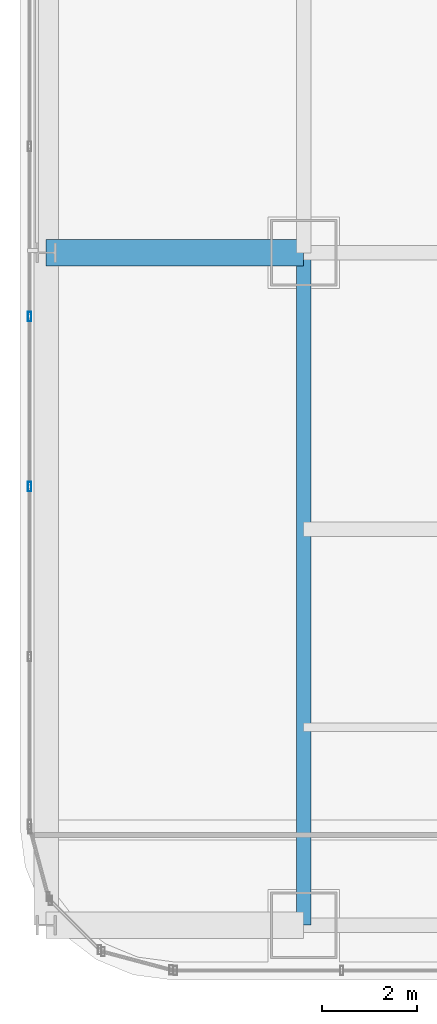
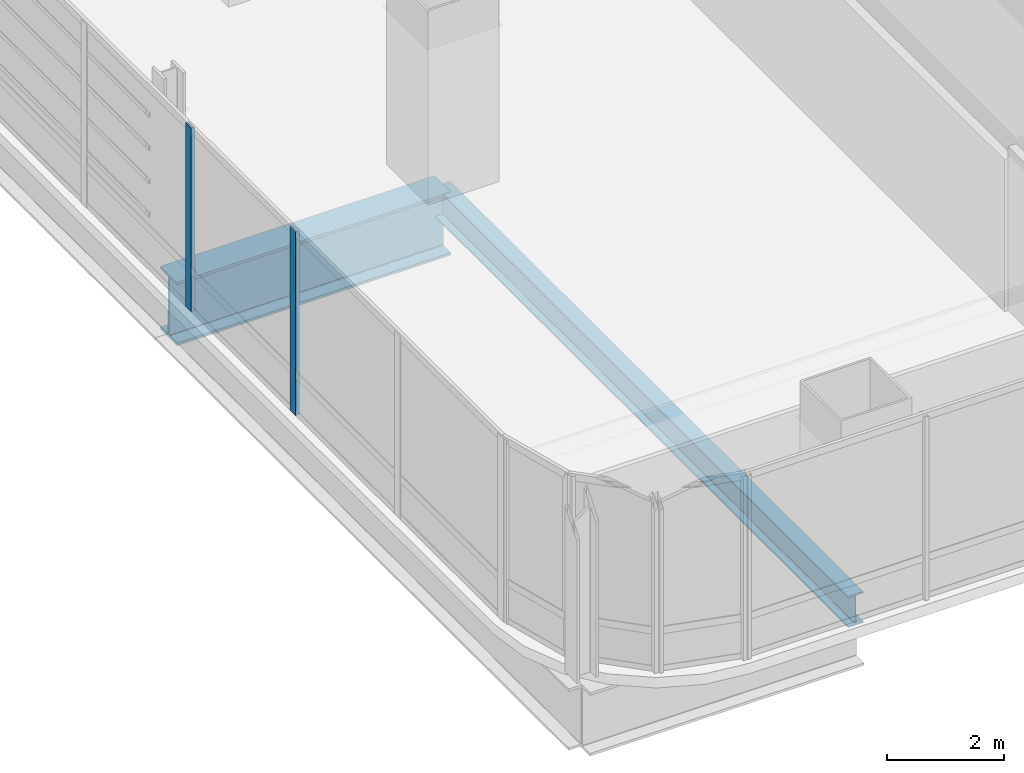
# One storey, part 5 of 38: 2 beams, 2 members, 1 element without a shape of its own.
"""IFC4 building model written with IfcOpenShell, lengths in metres."""

from ifc_helpers import new_model, si_unit, direction, frame, origin, origin_2d, place, context, subcontext, project, spatial, hollow_rectangle, i_section, extrude, material, material_profile, profile_set, type_object, element, aggregate, save


model = new_model("IFC4")

# Units and contexts
model_context = context("Model", 3, precision=1e-05, world=origin(), true_north=direction((0.0, 1.0)))
body_context = subcontext(model_context, "Body", "Model", "MODEL_VIEW")
ifc_project = project(units=[si_unit("LENGTHUNIT", "METRE"), si_unit("AREAUNIT", "SQUARE_METRE"), si_unit("VOLUMEUNIT", "CUBIC_METRE"), si_unit("PLANEANGLEUNIT", "RADIAN"), si_unit("MASSUNIT", "GRAM", prefix="KILO")], contexts=[model_context])

# Site, building, storey
site_placement = place(None, origin())
site = spatial("IfcSite", under=ifc_project, at=site_placement, CompositionType="ELEMENT")
building_placement = place(site_placement, origin())
building = spatial("IfcBuilding", under=site, at=building_placement, Name="Punatoya Terracotta Tower", CompositionType="ELEMENT")
storey_placement = place(building_placement, frame((0.0, 0.0, 160.050048828125)))
storey = spatial("IfcBuildingStorey", under=building, at=storey_placement, Name="L37", CompositionType="ELEMENT", Elevation=160.050048828125)

# Beams
ifc_material_1 = material(Name="Steel S355", Category="steel")
ifc_material_profile_1 = material_profile(ifc_material_1, i_section(OverallWidth=0.300048828125, OverallDepth=0.64990234375, WebThickness=0.01611328125, FlangeThickness=0.031005859375, FilletRadius=0.01806640625, at=origin_2d()))
ifc_profile_set_1 = profile_set([ifc_material_profile_1], Name="Steel S355")
beam_type_1 = type_object("IfcBeamType", Name="BM-PRI-650", PredefinedType="BEAM", material=ifc_profile_set_1)
beam_1_placement = place(storey_placement, frame((-19.10009765625, -17.5, -0.545166015625), z_axis=(0.0, 1.0, 0.0), x_axis=(-1.0, 0.0, 0.0)))
element("IfcBeam", 1, at=beam_1_placement, inside=storey, type_object=beam_type_1, Name="BM-L37-RG-W1", PredefinedType="BEAM", context=body_context, shape_type="SweptSolid", body=[
    extrude(i_section(OverallWidth=0.300048828125, OverallDepth=0.64990234375, WebThickness=0.01611328125, FlangeThickness=0.031005859375, FilletRadius=0.01806640625, at=origin_2d()), origin(), (0.0, 0.0, 1.0), 14.10009765625),
])
ifc_material_2 = material(Name="Steel S460", Category="steel")
ifc_material_profile_2 = material_profile(ifc_material_2, i_section(OverallWidth=0.56005859375, OverallDepth=1.320068359375, WebThickness=0.035888671875, FlangeThickness=0.054931640625, FilletRadius=0.01806640625, at=origin_2d()))
ifc_profile_set_2 = profile_set([ifc_material_profile_2], Name="Steel S460")
beam_type_2 = type_object("IfcBeamType", Name="BM-TG-BLK", PredefinedType="BEAM", material=ifc_profile_set_2)
beam_2_placement = place(storey_placement, frame((-24.5, -3.39990234375, -0.880126953125), z_axis=(1.0, 0.0, 0.0), x_axis=(0.0, 1.0, 0.0)))
element("IfcBeam", 2, at=beam_2_placement, inside=storey, type_object=beam_type_2, Name="BM-L37-CANT-W2", PredefinedType="BEAM", context=body_context, shape_type="SweptSolid", body=[
    extrude(i_section(OverallWidth=0.56005859375, OverallDepth=1.320068359375, WebThickness=0.035888671875, FlangeThickness=0.054931640625, FilletRadius=0.01806640625, at=origin_2d()), origin(), (0.0, 0.0, 1.0), 5.39990234375),
])

# Curtain wall, members
ifc_material_3 = material(Name="Aluminium 6063-T6 + Double Low-E Glass", Category="aluminium")
curtain_wall_type = type_object("IfcCurtainWallType", Name="CW-M2", PredefinedType="NOTDEFINED", material=ifc_material_3)
curtain_wall_placement = place(storey_placement, origin())
curtain_wall = element("IfcCurtainWall", 3, at=curtain_wall_placement, inside=storey, type_object=curtain_wall_type, Name="L37 Curtain Wall CW-L37-W13-1", PredefinedType="NOTDEFINED")
ifc_material_4 = material(Name="Aluminium 6063-T6", Category="aluminium")
ifc_material_profile_3 = material_profile(ifc_material_4, hollow_rectangle(XDim=0.072021484375, YDim=0.195068359375, WallThickness=0.00439453125, at=origin_2d()))
ifc_profile_set_3 = profile_set([ifc_material_profile_3], Name="Aluminium 6063-T6")
member_type = type_object("IfcMemberType", Name="CW-MUL-M2", PredefinedType="MULLION", material=ifc_profile_set_3)
member_1_placement = place(storey_placement, frame((-24.85009765625, -4.73486328125, 0.0), z_axis=(0.0, 0.0, 1.0), x_axis=(1.0, 0.0, 0.0)))
member_1 = element("IfcMember", 4, at=member_1_placement, type_object=member_type, Name="CW-L37-W13-1 Mullion 07", PredefinedType="MULLION", context=body_context, shape_type="SweptSolid", body=[
    extrude(hollow_rectangle(XDim=0.072021484375, YDim=0.195068359375, WallThickness=0.00439453125, at=origin_2d()), origin(), (0.0, 0.0, 1.0), 3.829833984375),
])
member_2_placement = place(storey_placement, frame((-24.85009765625, -8.302001953125, 0.0), z_axis=(0.0, 0.0, 1.0), x_axis=(1.0, 0.0, 0.0)))
member_2 = element("IfcMember", 5, at=member_2_placement, type_object=member_type, Name="CW-L37-W13-1 Mullion 08", PredefinedType="MULLION", context=body_context, shape_type="SweptSolid", body=[
    extrude(hollow_rectangle(XDim=0.072021484375, YDim=0.195068359375, WallThickness=0.00439453125, at=origin_2d()), origin(), (0.0, 0.0, 1.0), 3.829833984375),
])
aggregate(curtain_wall, [member_1, member_2])

save(model, "model.ifc")
